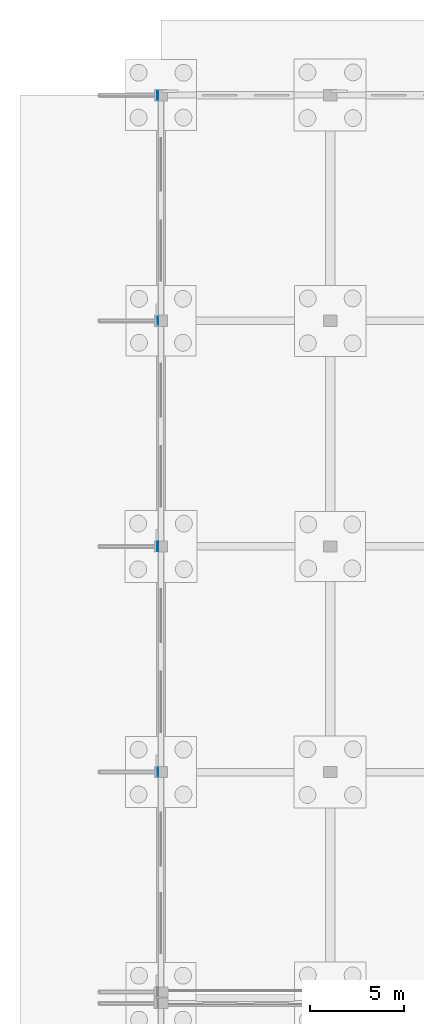
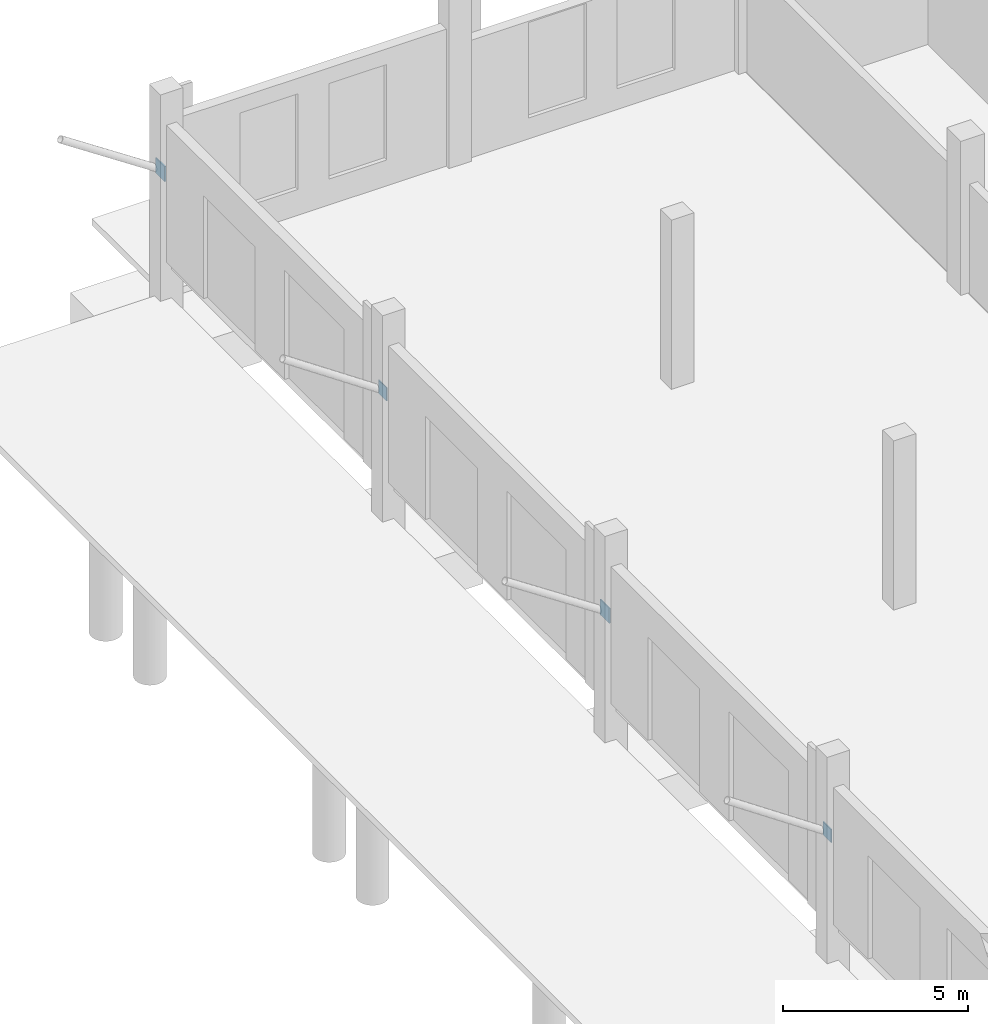
# One storey, part 54 of 99: 4 plates.
"""IFC4 building model written with IfcOpenShell, lengths in metres."""

from ifc_helpers import new_model, si_unit, direction, frame, origin, origin_2d, place, context, subcontext, project, spatial, rectangle, extrude, material, layer, layer_set, type_object, element, save


model = new_model("IFC4")

# Units and contexts
model_context = context("Model", 3, precision=1e-05, world=origin(), true_north=direction((0.0, 1.0)))
body_context = subcontext(model_context, "Body", "Model", "MODEL_VIEW")
ifc_project = project(units=[si_unit("LENGTHUNIT", "METRE"), si_unit("AREAUNIT", "SQUARE_METRE"), si_unit("VOLUMEUNIT", "CUBIC_METRE"), si_unit("PLANEANGLEUNIT", "RADIAN"), si_unit("MASSUNIT", "GRAM", prefix="KILO")], contexts=[model_context])

# Site, building, storey
site_placement = place(None, origin())
site = spatial("IfcSite", under=ifc_project, at=site_placement, CompositionType="ELEMENT")
building_placement = place(site_placement, origin())
building = spatial("IfcBuilding", under=site, at=building_placement, Name="Zacnel Wholesale Market", CompositionType="ELEMENT")
storey_placement = place(building_placement, origin())
storey = spatial("IfcBuildingStorey", under=building, at=storey_placement, Name="L01", CompositionType="ELEMENT", Elevation=0.0)

# Plates
ifc_material_1 = material(Name="Steel S355", Category="steel")
ifc_layer_1 = layer(ifc_material_1, 0.031982421875)
ifc_layer_set_1 = layer_set([ifc_layer_1], Name="Steel S355")
plate_type_1 = type_object("IfcPlateType", Name="PLT-BRG-440X32", PredefinedType="SHEET", material=ifc_layer_set_1)
for number, where, z_axis, x_axis, name in (
    (1, (-0.169921875, 108.0, 3.880126953125), (0.0, 0.0, 1.0), (1.0, 0.0, 0.0), "Dock brace wall bearing plate 12"),
    (2, (-0.169921875, 132.0, 3.880126953125), (0.0, 0.0, 1.0), (1.0, 0.0, 0.0), "Dock brace wall bearing plate 14"),
):
    element("IfcPlate", number, at=place(storey_placement, frame(where, z_axis=z_axis, x_axis=x_axis)), inside=storey, type_object=plate_type_1, Name=name, PredefinedType="SHEET", context=body_context, shape_type="SweptSolid", body=[
        extrude(rectangle(XDim=0.031982421875, YDim=0.43994140625, at=origin_2d()), origin(), (0.0, 0.0, 1.0), 0.43994140625),
    ])
ifc_material_2 = material(Name="Steel S355", Category="steel")
ifc_layer_2 = layer(ifc_material_2, 0.0400390625)
ifc_layer_set_2 = layer_set([ifc_layer_2], Name="Steel S355")
plate_type_2 = type_object("IfcPlateType", Name="PLT-BRG-500X40", PredefinedType="SHEET", material=ifc_layer_set_2)
for number, where, z_axis, x_axis, name in (
    (3, (-0.169921875, 120.0, 3.85009765625), (0.0, 0.0, 1.0), (1.0, 0.0, 0.0), "Dock brace wall bearing plate 13"),
    (4, (-0.169921875, 144.0, 3.85009765625), (0.0, 0.0, 1.0), (1.0, 0.0, 0.0), "Dock brace wall bearing plate 15"),
):
    element("IfcPlate", number, at=place(storey_placement, frame(where, z_axis=z_axis, x_axis=x_axis)), inside=storey, type_object=plate_type_2, Name=name, PredefinedType="SHEET", context=body_context, shape_type="SweptSolid", body=[
        extrude(rectangle(XDim=0.0400390625, YDim=0.5, at=origin_2d()), origin(), (0.0, 0.0, 1.0), 0.5),
    ])

save(model, "model.ifc")
